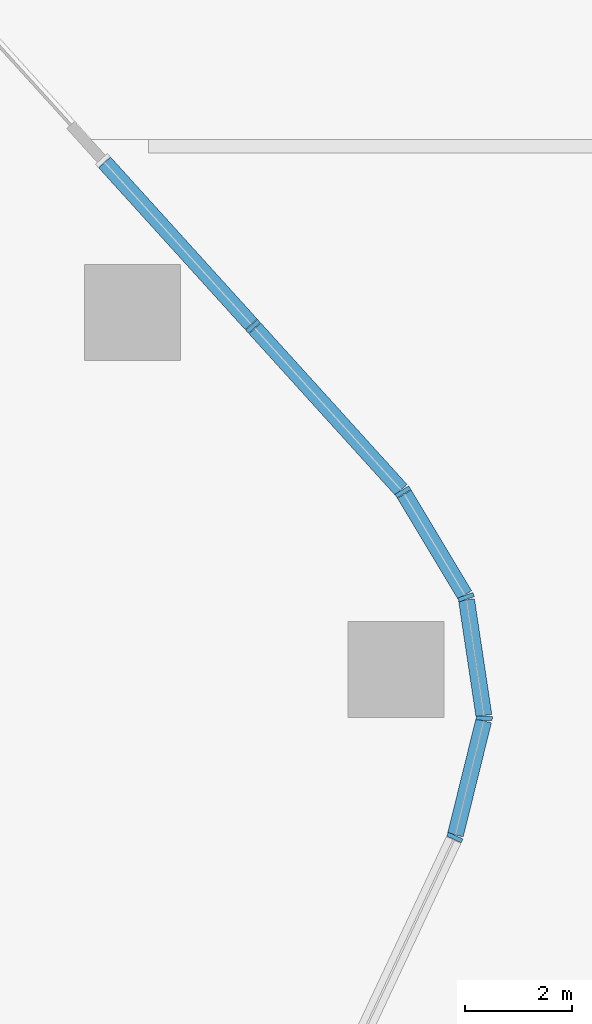
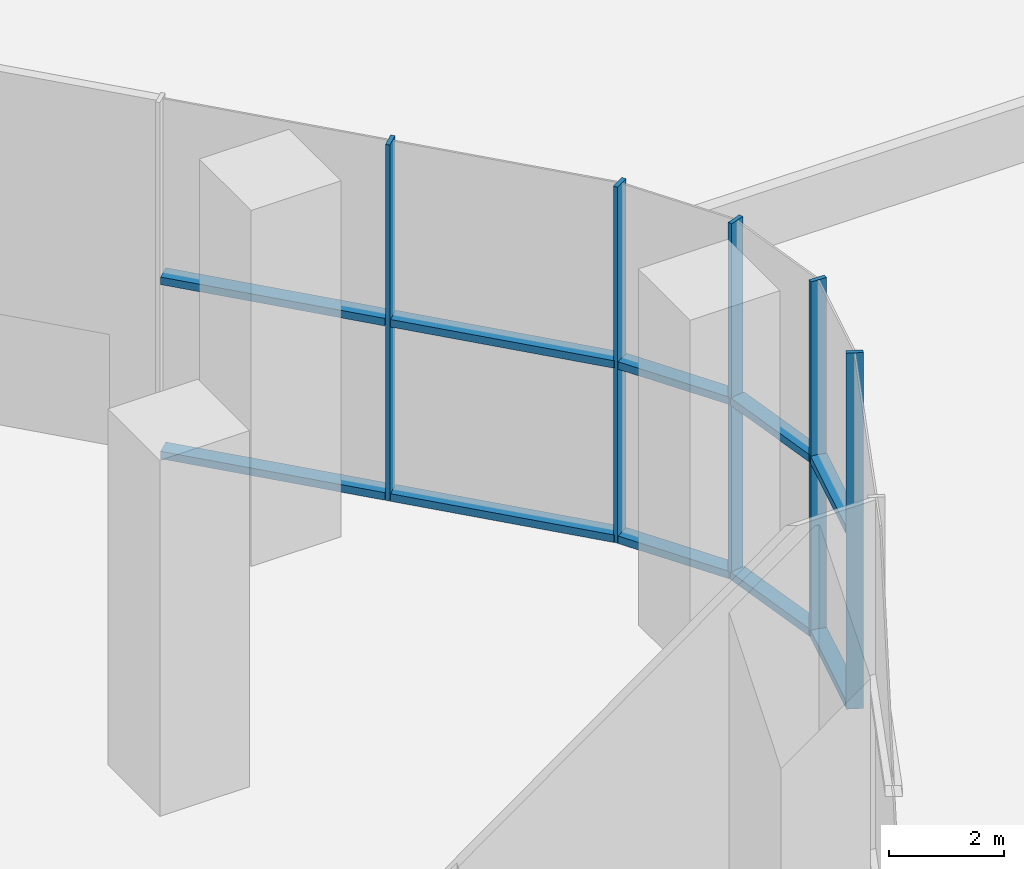
# One storey, part 6 of 22: 15 members, 3 elements without a shape of their own.
"""IFC4 building model written with IfcOpenShell, lengths in metres."""

from ifc_helpers import new_model, si_unit, direction, frame, origin, origin_2d, place, context, subcontext, project, spatial, rectangle, extrude, material, layer, layer_set, material_profile, profile_set, type_object, element, aggregate, save


model = new_model("IFC4")

# Units and contexts
model_context = context("Model", 3, precision=1e-05, world=origin(), true_north=direction((0.0, 1.0)))
body_context = subcontext(model_context, "Body", "Model", "MODEL_VIEW")
ifc_project = project(units=[si_unit("LENGTHUNIT", "METRE"), si_unit("AREAUNIT", "SQUARE_METRE"), si_unit("VOLUMEUNIT", "CUBIC_METRE"), si_unit("PLANEANGLEUNIT", "RADIAN"), si_unit("MASSUNIT", "GRAM", prefix="KILO")], contexts=[model_context])

# Site, building, storey
site_placement = place(None, origin())
site = spatial("IfcSite", under=ifc_project, at=site_placement, CompositionType="ELEMENT")
building_placement = place(site_placement, origin())
building = spatial("IfcBuilding", under=site, at=building_placement, Name="Dongbaek Canopy Tower", CompositionType="ELEMENT")
storey_placement = place(building_placement, frame((0.0, 0.0, 19.0)))
storey = spatial("IfcBuildingStorey", under=building, at=storey_placement, Name="L02", CompositionType="ELEMENT", Elevation=19.0)

# Curtain wall, member
ifc_material_1 = material(Name="Aluminium 6063-T6 pale anodised", Category="aluminium")
ifc_layer = layer(ifc_material_1, 0.300048828125)
ifc_layer_set = layer_set([ifc_layer], Name="CW-2 podium hall curtain wall")
curtain_wall_type = type_object("IfcCurtainWallType", Name="CW-2 podium hall curtain wall", PredefinedType="NOTDEFINED", material=ifc_layer_set)
curtain_wall_1_placement = place(storey_placement, origin())
curtain_wall_1 = element("IfcCurtainWall", 1, at=curtain_wall_1_placement, inside=storey, type_object=curtain_wall_type, Name="CW-2 curtain wall F0.3", PredefinedType="NOTDEFINED")
ifc_material_2 = material(Name="Aluminium 6063-T6 pale anodised", Category="aluminium")
ifc_material_profile_1 = material_profile(ifc_material_2, rectangle(XDim=0.300048828125, YDim=0.080078125, at=origin_2d()), Name="CW-2 mullion 80 x 300")
ifc_profile_set_1 = profile_set([ifc_material_profile_1], Name="Aluminium 6063-T6 pale anodised")
member_type_1 = type_object("IfcMemberType", Name="CW-2 mullion 80 x 300", PredefinedType="MULLION", material=ifc_profile_set_1)
member_1_placement = place(storey_placement, frame((38.19921875, 4.918701171875, 0.0), z_axis=(0.0, 0.0, 1.0), x_axis=(0.905604654395, -0.424122871275, 0.0)))
member_1 = element("IfcMember", 2, at=member_1_placement, type_object=member_type_1, Name="CW-2 mullion F0.3.3", PredefinedType="MULLION", context=body_context, shape_type="SweptSolid", body=[
    extrude(rectangle(XDim=0.300048828125, YDim=0.080078125, at=origin_2d()), origin(), (0.0, 0.0, 1.0), 7.550048828125),
])
aggregate(curtain_wall_1, [member_1])

# Curtain wall, members
curtain_wall_2_placement = place(storey_placement, origin())
curtain_wall_2 = element("IfcCurtainWall", 3, at=curtain_wall_2_placement, inside=storey, type_object=curtain_wall_type, Name="CW-2 curtain wall K1.1", PredefinedType="NOTDEFINED")
member_2_placement = place(storey_placement, frame((38.751953125, 7.15478515625, 0.0), z_axis=(0.0, 0.0, 1.0), x_axis=(0.998910074413, -0.046676152764, 0.0)))
member_2 = element("IfcMember", 4, at=member_2_placement, type_object=member_type_1, Name="CW-2 mullion K1.1.2", PredefinedType="MULLION", context=body_context, shape_type="SweptSolid", body=[
    extrude(rectangle(XDim=0.300048828125, YDim=0.080078125, at=origin_2d()), origin(), (0.0, 0.0, 1.0), 7.550048828125),
])
member_3_placement = place(storey_placement, frame((38.41162109375, 9.422607421875, 0.0), z_axis=(0.0, 0.0, 1.0), x_axis=(0.941208325006, 0.337826714365, 0.0)))
member_3 = element("IfcMember", 5, at=member_3_placement, type_object=member_type_1, Name="CW-2 mullion K1.1.3", PredefinedType="MULLION", context=body_context, shape_type="SweptSolid", body=[
    extrude(rectangle(XDim=0.300048828125, YDim=0.080078125, at=origin_2d()), origin(), (0.0, 0.0, 1.0), 7.550048828125),
])
member_4_placement = place(storey_placement, frame((37.22705078125, 11.397705078125, 0.0), z_axis=(0.0, 0.0, 1.0), x_axis=(0.857576465297, 0.514356497159, 0.0)))
member_4 = element("IfcMember", 6, at=member_4_placement, type_object=member_type_1, Name="CW-2 mullion K1.1.4", PredefinedType="MULLION", context=body_context, shape_type="SweptSolid", body=[
    extrude(rectangle(XDim=0.300048828125, YDim=0.080078125, at=origin_2d()), origin(), (0.0, 0.0, 1.0), 7.550048828125),
])

# Curtain wall, member
curtain_wall_3_placement = place(storey_placement, origin())
curtain_wall_3 = element("IfcCurtainWall", 7, at=curtain_wall_3_placement, inside=storey, type_object=curtain_wall_type, Name="CW-2 curtain wall F1.1", PredefinedType="NOTDEFINED")
member_5_placement = place(storey_placement, frame((34.41748046875, 14.5, 0.0), z_axis=(0.0, 0.0, 1.0), x_axis=(0.741222236547, 0.671259708345, 0.0)))
member_5 = element("IfcMember", 8, at=member_5_placement, type_object=member_type_1, Name="CW-2 mullion F1.1.2", PredefinedType="MULLION", context=body_context, shape_type="SweptSolid", body=[
    extrude(rectangle(XDim=0.300048828125, YDim=0.080078125, at=origin_2d()), origin(), (0.0, 0.0, 1.0), 7.550048828125),
])

# Member
ifc_material_3 = material(Name="Aluminium 6063-T6 pale anodised", Category="aluminium")
ifc_material_profile_2 = material_profile(ifc_material_3, rectangle(XDim=0.300048828125, YDim=0.159912109375, at=origin_2d()), Name="CW-2 transom 160 x 300")
ifc_profile_set_2 = profile_set([ifc_material_profile_2], Name="Aluminium 6063-T6 pale anodised")
member_type_2 = type_object("IfcMemberType", Name="CW-2 transom 160 x 300", PredefinedType="USERDEFINED", material=ifc_profile_set_2)
member_6_placement = place(storey_placement, frame((38.2119140625, 4.96923828125, 0.080078125), z_axis=(0.23989656478, 0.970798453958, 0.0), x_axis=(-0.970798453958, 0.23989656478, 0.0)))
member_6 = element("IfcMember", 9, at=member_6_placement, type_object=member_type_2, Name="CW-2 transom K1.1.1.1", ObjectType="TRANSOM", PredefinedType="USERDEFINED", context=body_context, shape_type="SweptSolid", body=[
    extrude(rectangle(XDim=0.300048828125, YDim=0.159912109375, at=origin_2d()), origin(), (0.0, 0.0, 1.0), 2.19921875),
])

member_7_placement = place(storey_placement, frame((38.2119140625, 4.96923828125, 3.77490234375), z_axis=(0.23989656478, 0.970798453958, 0.0), x_axis=(-0.970798453958, 0.23989656478, 0.0)))
member_7 = element("IfcMember", 10, at=member_7_placement, type_object=member_type_2, Name="CW-2 transom K1.1.1.2", ObjectType="TRANSOM", PredefinedType="USERDEFINED", context=body_context, shape_type="SweptSolid", body=[
    extrude(rectangle(XDim=0.300048828125, YDim=0.159912109375, at=origin_2d()), origin(), (0.0, 0.0, 1.0), 2.19921875),
])

member_8_placement = place(storey_placement, frame((38.744384765625, 7.2060546875, 0.080078125), z_axis=(-0.14842770198, 0.988923261575, 0.0), x_axis=(-0.988923261575, -0.14842770198, 0.0)))
member_8 = element("IfcMember", 11, at=member_8_placement, type_object=member_type_2, Name="CW-2 transom K1.1.2.1", ObjectType="TRANSOM", PredefinedType="USERDEFINED", context=body_context, shape_type="SweptSolid", body=[
    extrude(rectangle(XDim=0.300048828125, YDim=0.159912109375, at=origin_2d()), origin(), (0.0, 0.0, 1.0), 2.189208984375),
])

member_9_placement = place(storey_placement, frame((38.744384765625, 7.2060546875, 3.77490234375), z_axis=(-0.14842770198, 0.988923261575, 0.0), x_axis=(-0.988923261575, -0.14842770198, 0.0)))
member_9 = element("IfcMember", 12, at=member_9_placement, type_object=member_type_2, Name="CW-2 transom K1.1.2.2", ObjectType="TRANSOM", PredefinedType="USERDEFINED", context=body_context, shape_type="SweptSolid", body=[
    extrude(rectangle(XDim=0.300048828125, YDim=0.159912109375, at=origin_2d()), origin(), (0.0, 0.0, 1.0), 2.189208984375),
])

member_10_placement = place(storey_placement, frame((38.385009765625, 9.467041015625, 0.080078125), z_axis=(-0.514332488752, 0.857590864582, 0.0), x_axis=(-0.857590864582, -0.514332488752, 0.0)))
member_10 = element("IfcMember", 13, at=member_10_placement, type_object=member_type_2, Name="CW-2 transom K1.1.3.1", ObjectType="TRANSOM", PredefinedType="USERDEFINED", context=body_context, shape_type="SweptSolid", body=[
    extrude(rectangle(XDim=0.300048828125, YDim=0.159912109375, at=origin_2d()), origin(), (0.0, 0.0, 1.0), 2.19921875),
])

member_11_placement = place(storey_placement, frame((38.385009765625, 9.467041015625, 3.77490234375), z_axis=(-0.514332488752, 0.857590864582, 0.0), x_axis=(-0.857590864582, -0.514332488752, 0.0)))
member_11 = element("IfcMember", 14, at=member_11_placement, type_object=member_type_2, Name="CW-2 transom K1.1.3.2", ObjectType="TRANSOM", PredefinedType="USERDEFINED", context=body_context, shape_type="SweptSolid", body=[
    extrude(rectangle(XDim=0.300048828125, YDim=0.159912109375, at=origin_2d()), origin(), (0.0, 0.0, 1.0), 2.19921875),
])

aggregate(curtain_wall_2, [member_2, member_3, member_4, member_6, member_7, member_8, member_9, member_10, member_11])

member_12_placement = place(storey_placement, frame((37.192138671875, 11.436279296875, 0.080078125), z_axis=(-0.671278192509, 0.741205496648, 0.0), x_axis=(-0.741205496648, -0.671278192509, 0.0)))
member_12 = element("IfcMember", 15, at=member_12_placement, type_object=member_type_2, Name="CW-2 transom F1.1.1.1", ObjectType="TRANSOM", PredefinedType="USERDEFINED", context=body_context, shape_type="SweptSolid", body=[
    extrude(rectangle(XDim=0.300048828125, YDim=0.159912109375, at=origin_2d()), origin(), (0.0, 0.0, 1.0), 4.081298828125),
])

member_13_placement = place(storey_placement, frame((37.192138671875, 11.436279296875, 3.77490234375), z_axis=(-0.671278192509, 0.741205496648, 0.0), x_axis=(-0.741205496648, -0.671278192509, 0.0)))
member_13 = element("IfcMember", 16, at=member_13_placement, type_object=member_type_2, Name="CW-2 transom F1.1.1.2", ObjectType="TRANSOM", PredefinedType="USERDEFINED", context=body_context, shape_type="SweptSolid", body=[
    extrude(rectangle(XDim=0.300048828125, YDim=0.159912109375, at=origin_2d()), origin(), (0.0, 0.0, 1.0), 4.081298828125),
])

member_14_placement = place(storey_placement, frame((34.3828125, 14.53857421875, 0.080078125), z_axis=(-0.671272628387, 0.741210535798, 0.0), x_axis=(-0.741210535798, -0.671272628387, 0.0)))
member_14 = element("IfcMember", 17, at=member_14_placement, type_object=member_type_2, Name="CW-2 transom F1.1.2.1", ObjectType="TRANSOM", PredefinedType="USERDEFINED", context=body_context, shape_type="SweptSolid", body=[
    extrude(rectangle(XDim=0.300048828125, YDim=0.159912109375, at=origin_2d()), origin(), (0.0, 0.0, 1.0), 4.09130859375),
])

member_15_placement = place(storey_placement, frame((34.3828125, 14.53857421875, 3.77490234375), z_axis=(-0.671272628387, 0.741210535798, 0.0), x_axis=(-0.741210535798, -0.671272628387, 0.0)))
member_15 = element("IfcMember", 18, at=member_15_placement, type_object=member_type_2, Name="CW-2 transom F1.1.2.2", ObjectType="TRANSOM", PredefinedType="USERDEFINED", context=body_context, shape_type="SweptSolid", body=[
    extrude(rectangle(XDim=0.300048828125, YDim=0.159912109375, at=origin_2d()), origin(), (0.0, 0.0, 1.0), 4.09130859375),
])

aggregate(curtain_wall_3, [member_5, member_12, member_13, member_14, member_15])

save(model, "model.ifc")
